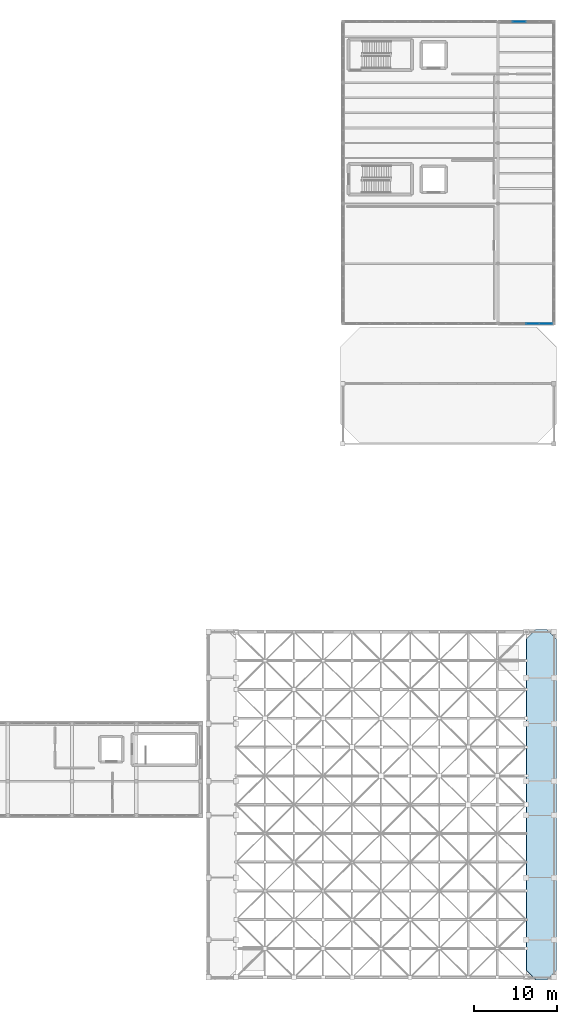
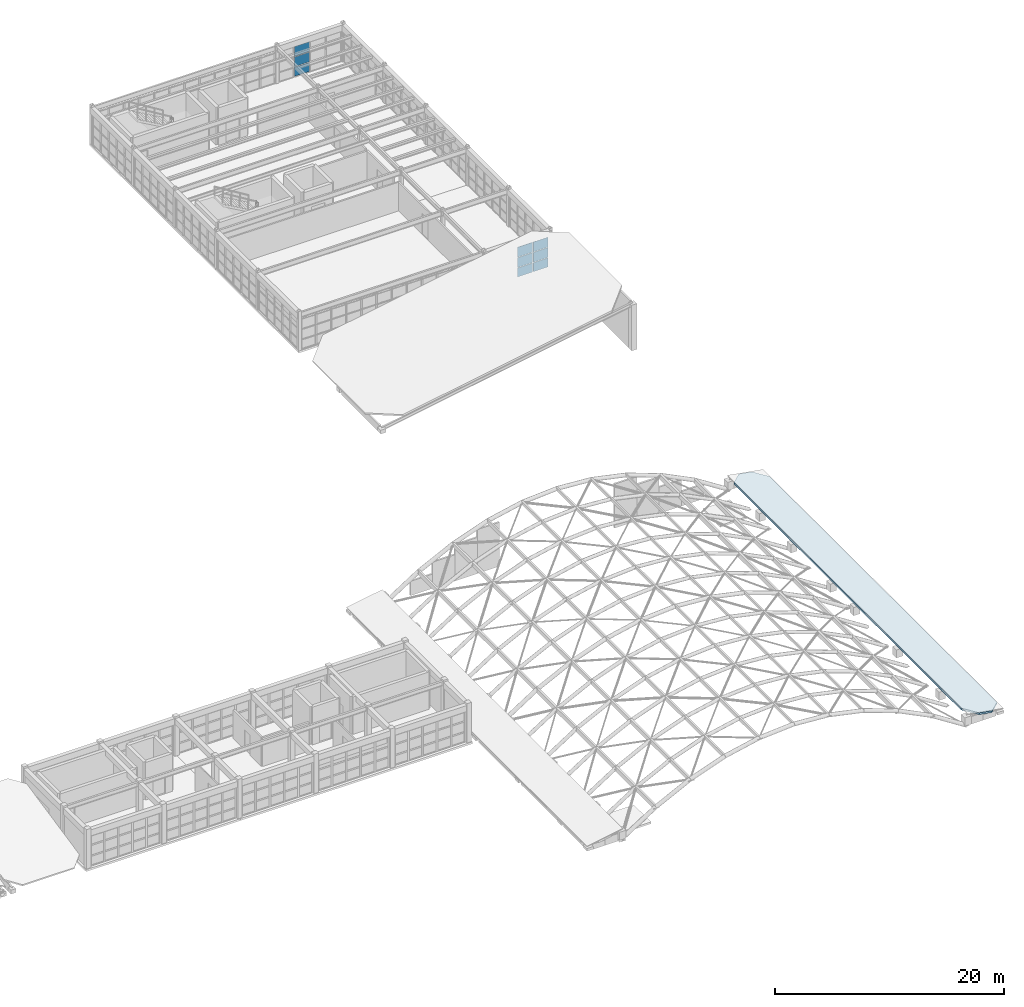
# One storey, part 41 of 52: 9 plates, 1 slab, 2 elements without a shape of their own.
"""IFC4 building model written with IfcOpenShell, lengths in metres."""

from ifc_helpers import new_model, si_unit, direction, frame, origin, origin_2d, place, context, subcontext, project, spatial, polyline, rectangle, outline, extrude, material, layer, layer_set, type_object, element, aggregate, save


model = new_model("IFC4")

# Units and contexts
model_context = context("Model", 3, precision=1e-05, world=origin(), true_north=direction((0.0, 1.0)))
body_context = subcontext(model_context, "Body", "Model", "MODEL_VIEW")
ifc_project = project(units=[si_unit("LENGTHUNIT", "METRE"), si_unit("AREAUNIT", "SQUARE_METRE"), si_unit("VOLUMEUNIT", "CUBIC_METRE"), si_unit("PLANEANGLEUNIT", "RADIAN"), si_unit("MASSUNIT", "GRAM", prefix="KILO")], contexts=[model_context])

# Site, building, storey
site_placement = place(None, origin())
site = spatial("IfcSite", under=ifc_project, at=site_placement, CompositionType="ELEMENT")
building_placement = place(site_placement, origin())
building = spatial("IfcBuilding", under=site, at=building_placement, Name="Candilejo Ridge Gondola Terminal", CompositionType="ELEMENT")
storey_placement = place(building_placement, frame((0.0, 0.0, 18.60009765625)))
storey = spatial("IfcBuildingStorey", under=building, at=storey_placement, Name="L04", CompositionType="ELEMENT", Elevation=18.60009765625)

# Curtain wall, plates
ifc_material_1 = material(Name="Anodised aluminium AA 6063-T6", Category="aluminium")
ifc_layer_1 = layer(ifc_material_1, 0.169921875)
ifc_layer_set_1 = layer_set([ifc_layer_1], Name="ARC-CW-TOWER-3000-640X329")
curtain_wall_type = type_object("IfcCurtainWallType", Name="ARC-CW-TOWER-3000-640X329", PredefinedType="NOTDEFINED", material=ifc_layer_set_1)
curtain_wall_1_placement = place(storey_placement, origin())
curtain_wall_1 = element("IfcCurtainWall", 1, at=curtain_wall_1_placement, inside=storey, type_object=curtain_wall_type, Name="Curtain wall V5 L04-224", PredefinedType="NOTDEFINED")
ifc_material_2 = material(Name="Low-E laminated double glazing 6+12A+6+1.52PVB+6 mm", Category="glass")
ifc_layer_2 = layer(ifc_material_2, 0.028076171875)
ifc_layer_set_2 = layer_set([ifc_layer_2], Name="ARC-CW-GLAZ-PANEL")
plate_type = type_object("IfcPlateType", Name="ARC-CW-GLAZ-PANEL", PredefinedType="CURTAIN_PANEL", material=ifc_layer_set_2)
plate_1_placement = place(storey_placement, frame((172.75, 84.64990234375, 0.059814453125), z_axis=(0.0, 0.0, 1.0), x_axis=(1.0, 0.0, 0.0)))
plate_1 = element("IfcPlate", 2, at=plate_1_placement, type_object=plate_type, Name="CW-64X32 panel 3.1", PredefinedType="CURTAIN_PANEL", context=body_context, shape_type="SweptSolid", body=[
    extrude(rectangle(XDim=1.534912109375, YDim=0.028076171875, at=origin_2d()), origin(), (0.0, 0.0, 1.0), 0.9599609375),
])
plate_2_placement = place(storey_placement, frame((172.75, 84.64990234375, 1.079833984375), z_axis=(0.0, 0.0, 1.0), x_axis=(1.0, 0.0, 0.0)))
plate_2 = element("IfcPlate", 3, at=plate_2_placement, type_object=plate_type, Name="CW-64X32 panel 3.2", PredefinedType="CURTAIN_PANEL", context=body_context, shape_type="SweptSolid", body=[
    extrude(rectangle(XDim=1.534912109375, YDim=0.028076171875, at=origin_2d()), origin(), (0.0, 0.0, 1.0), 1.0400390625),
])
plate_3_placement = place(storey_placement, frame((172.75, 84.64990234375, 2.1796875), z_axis=(0.0, 0.0, 1.0), x_axis=(1.0, 0.0, 0.0)))
plate_3 = element("IfcPlate", 4, at=plate_3_placement, type_object=plate_type, Name="CW-64X32 panel 3.3", PredefinedType="CURTAIN_PANEL", context=body_context, shape_type="SweptSolid", body=[
    extrude(rectangle(XDim=1.534912109375, YDim=0.028076171875, at=origin_2d()), origin(), (0.0, 0.0, 1.0), 1.050048828125),
])
plate_4_placement = place(storey_placement, frame((174.333740234375, 84.64990234375, 0.059814453125), z_axis=(0.0, 0.0, 1.0), x_axis=(1.0, 0.0, 0.0)))
plate_4 = element("IfcPlate", 5, at=plate_4_placement, type_object=plate_type, Name="CW-64X32 panel 4.1", PredefinedType="CURTAIN_PANEL", context=body_context, shape_type="SweptSolid", body=[
    extrude(rectangle(XDim=1.50244140625, YDim=0.028076171875, at=origin_2d()), origin(), (0.0, 0.0, 1.0), 0.9599609375),
])
plate_5_placement = place(storey_placement, frame((174.333740234375, 84.64990234375, 1.079833984375), z_axis=(0.0, 0.0, 1.0), x_axis=(1.0, 0.0, 0.0)))
plate_5 = element("IfcPlate", 6, at=plate_5_placement, type_object=plate_type, Name="CW-64X32 panel 4.2", PredefinedType="CURTAIN_PANEL", context=body_context, shape_type="SweptSolid", body=[
    extrude(rectangle(XDim=1.50244140625, YDim=0.028076171875, at=origin_2d()), origin(), (0.0, 0.0, 1.0), 1.0400390625),
])
plate_6_placement = place(storey_placement, frame((174.333740234375, 84.64990234375, 2.1796875), z_axis=(0.0, 0.0, 1.0), x_axis=(1.0, 0.0, 0.0)))
plate_6 = element("IfcPlate", 7, at=plate_6_placement, type_object=plate_type, Name="CW-64X32 panel 4.3", PredefinedType="CURTAIN_PANEL", context=body_context, shape_type="SweptSolid", body=[
    extrude(rectangle(XDim=1.50244140625, YDim=0.028076171875, at=origin_2d()), origin(), (0.0, 0.0, 1.0), 1.050048828125),
])
aggregate(curtain_wall_1, [plate_1, plate_2, plate_3, plate_4, plate_5, plate_6])

curtain_wall_2_placement = place(storey_placement, origin())
curtain_wall_2 = element("IfcCurtainWall", 8, at=curtain_wall_2_placement, inside=storey, type_object=curtain_wall_type, Name="Curtain wall V5 L04-225", PredefinedType="NOTDEFINED")
plate_7_placement = place(storey_placement, frame((171.14990234375, 120.85009765625, 0.059814453125), z_axis=(0.0, 0.0, 1.0), x_axis=(1.0, 0.0, 0.0)))
plate_7 = element("IfcPlate", 9, at=plate_7_placement, type_object=plate_type, Name="CW-64X32 panel 2.1", PredefinedType="CURTAIN_PANEL", context=body_context, shape_type="SweptSolid", body=[
    extrude(rectangle(XDim=1.534912109375, YDim=0.028076171875, at=origin_2d()), origin(), (0.0, 0.0, 1.0), 0.9599609375),
])
plate_8_placement = place(storey_placement, frame((171.14990234375, 120.85009765625, 1.079833984375), z_axis=(0.0, 0.0, 1.0), x_axis=(1.0, 0.0, 0.0)))
plate_8 = element("IfcPlate", 10, at=plate_8_placement, type_object=plate_type, Name="CW-64X32 panel 2.2", PredefinedType="CURTAIN_PANEL", context=body_context, shape_type="SweptSolid", body=[
    extrude(rectangle(XDim=1.534912109375, YDim=0.028076171875, at=origin_2d()), origin(), (0.0, 0.0, 1.0), 1.0400390625),
])
plate_9_placement = place(storey_placement, frame((171.14990234375, 120.85009765625, 2.1796875), z_axis=(0.0, 0.0, 1.0), x_axis=(1.0, 0.0, 0.0)))
plate_9 = element("IfcPlate", 11, at=plate_9_placement, type_object=plate_type, Name="CW-64X32 panel 2.3", PredefinedType="CURTAIN_PANEL", context=body_context, shape_type="SweptSolid", body=[
    extrude(rectangle(XDim=1.534912109375, YDim=0.028076171875, at=origin_2d()), origin(), (0.0, 0.0, 1.0), 1.050048828125),
])
aggregate(curtain_wall_2, [plate_7, plate_8, plate_9])

# Slab
ifc_material_3 = material(Name="Concrete f'c 35 MPa (C35/45)", Category="concrete")
ifc_layer_3 = layer(ifc_material_3, 0.179931640625)
ifc_layer_set_3 = layer_set([ifc_layer_3], Name="STR-ROOF-SLAB-180")
slab_type = type_object("IfcSlabType", Name="STR-ROOF-SLAB-180", PredefinedType="ROOF", material=ifc_layer_set_3)
slab_placement = place(storey_placement, frame((173.152099609375, 6.0, 0.881591796875), z_axis=(0.173640735431, 0.0, 0.98480906525), x_axis=(0.98480906525, 0.0, -0.173640735431)))
element("IfcSlab", 12, at=slab_placement, inside=storey, type_object=slab_type, Name="Sloped standing-seam roof deck RF-V4-EAST", PredefinedType="ROOF", context=body_context, shape_type="SweptSolid", body=[
    extrude(outline(polyline([(0.0, 0.0), (1.3158921500760503, 0.0), (2.4857610638441914, 1.152099609375), (2.4857610638441914, 40.847900390625), (1.3158921500760503, 42.0), (0.0, 42.0), (-1.1698689137681413, 40.847900390625), (-1.1698689137681413, 1.152099609375), (0.0, 0.0)])), origin(), (0.0, 0.0, -1.0), 0.179931640625),
])

save(model, "model.ifc")
